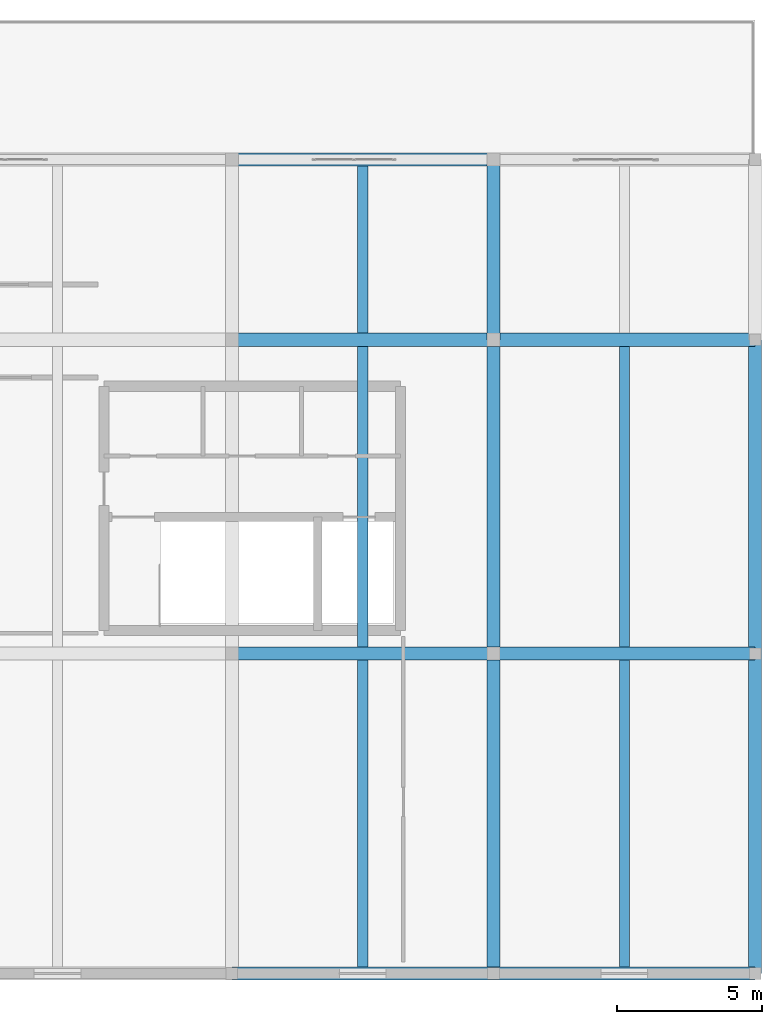
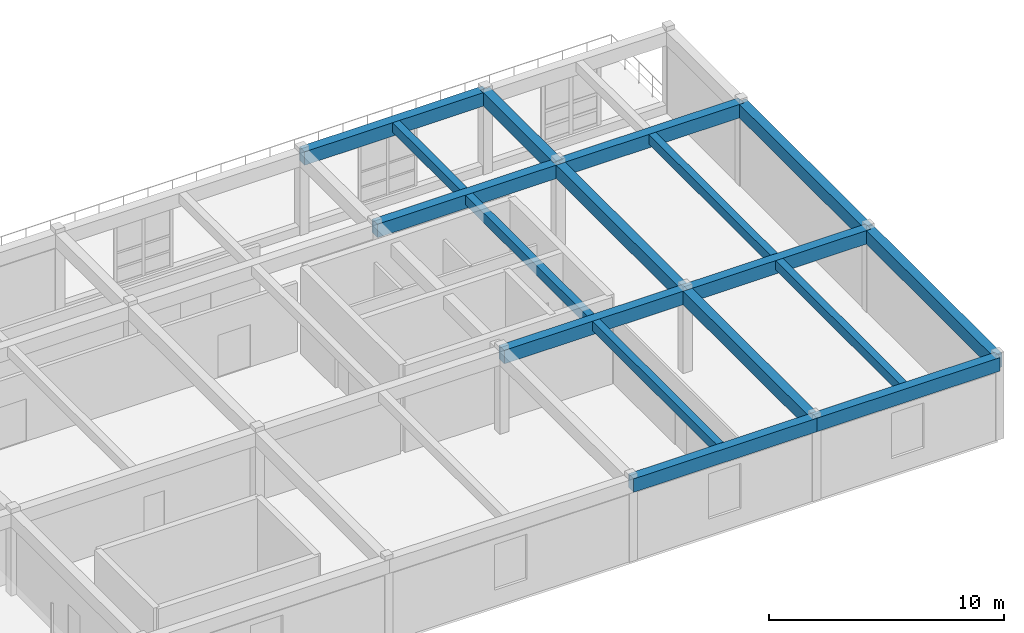
# One storey, part 8 of 15: 17 beams.
"""IFC4 building model written with IfcOpenShell, lengths in metres."""

from ifc_helpers import new_model, si_unit, derived_unit, direction, frame, origin, origin_2d, place, context, subcontext, project, spatial, rectangle, extrude, material, material_profile, profile_set, type_object, element, save


model = new_model("IFC4")

# Units and contexts
model_context = context("Model", 3, precision=1e-05, world=origin(), true_north=direction((0.0, 1.0)))
body_context = subcontext(model_context, "Body", "Model", "MODEL_VIEW")
ifc_project = project(units=[si_unit("LENGTHUNIT", "METRE"), si_unit("AREAUNIT", "SQUARE_METRE"), si_unit("VOLUMEUNIT", "CUBIC_METRE"), si_unit("PLANEANGLEUNIT", "RADIAN"), si_unit("MASSUNIT", "GRAM", prefix="KILO"), derived_unit("THERMALTRANSMITTANCEUNIT", [(si_unit("POWERUNIT", "WATT"), 1), (si_unit("LENGTHUNIT", "METRE"), -2), (si_unit("THERMODYNAMICTEMPERATUREUNIT", "KELVIN"), -1)])], contexts=[model_context])

# Site, building, storey
site_placement = place(None, origin())
site = spatial("IfcSite", under=ifc_project, at=site_placement, CompositionType="ELEMENT")
building_placement = place(site_placement, origin())
building = spatial("IfcBuilding", under=site, at=building_placement, Name="Almenara Railside Exhibition Hall", CompositionType="ELEMENT")
storey_placement = place(building_placement, frame((0.0, 0.0, 16.199951171875)))
storey = spatial("IfcBuildingStorey", under=building, at=storey_placement, Name="L03", CompositionType="ELEMENT", Elevation=16.199951171875)

# Beams
ifc_material = material(Name="Concrete C35/45", Category="concrete")
ifc_material_profile_1 = material_profile(ifc_material, rectangle(XDim=0.449951171875, YDim=0.699951171875, at=origin_2d()), Name="RC 450x700")
ifc_profile_set_1 = profile_set([ifc_material_profile_1], Name="Concrete C35/45")
beam_type_1 = type_object("IfcBeamType", Name="RC Floor Beam 450x700 C35/45", PredefinedType="BEAM", material=ifc_profile_set_1)
for number, where, z_axis, x_axis, name in (
    (1, (186.0, 0.0, 3.929931640625), (1.0, 0.0, 0.0), (0.0, 1.0, 0.0), "Beam 0345"),
    (2, (195.0, 0.0, 3.929931640625), (1.0, 0.0, 0.0), (0.0, 1.0, 0.0), "Beam 0346"),
    (3, (186.0, 11.0, 3.929931640625), (1.0, 0.0, 0.0), (0.0, 1.0, 0.0), "Beam 0352"),
    (4, (195.0, 11.0, 3.929931640625), (1.0, 0.0, 0.0), (0.0, 1.0, 0.0), "Beam 0353"),
    (5, (186.0, 21.800048828125, 3.929931640625), (1.0, 0.0, 0.0), (0.0, 1.0, 0.0), "Beam 0359"),
    (6, (195.0, 21.800048828125, 3.929931640625), (1.0, 0.0, 0.0), (0.0, 1.0, 0.0), "Beam 0360"),
    (7, (186.0, 28.0, 3.929931640625), (1.0, 0.0, 0.0), (0.0, 1.0, 0.0), "Beam 0366"),
):
    element("IfcBeam", number, at=place(storey_placement, frame(where, z_axis=z_axis, x_axis=x_axis)), inside=storey, type_object=beam_type_1, Name=name, PredefinedType="BEAM", context=body_context, shape_type="SweptSolid", body=[
        extrude(rectangle(XDim=0.449951171875, YDim=0.699951171875, at=origin_2d()), origin(), (0.0, 0.0, 1.0), 9.0),
    ])
beam_1_placement = place(storey_placement, frame((195.0, 0.0, 3.929931640625), z_axis=(0.0, 1.0, 0.0), x_axis=(-1.0, 0.0, 0.0)))
element("IfcBeam", 8, at=beam_1_placement, inside=storey, type_object=beam_type_1, Name="Beam 0386", PredefinedType="BEAM", context=body_context, shape_type="SweptSolid", body=[
    extrude(rectangle(XDim=0.449951171875, YDim=0.699951171875, at=origin_2d()), origin(), (0.0, 0.0, 1.0), 11.0),
])
beam_2_placement = place(storey_placement, frame((195.0, 11.0, 3.929931640625), z_axis=(0.0, 1.0, 0.0), x_axis=(-1.0, 0.0, 0.0)))
element("IfcBeam", 9, at=beam_2_placement, inside=storey, type_object=beam_type_1, Name="Beam 0387", PredefinedType="BEAM", context=body_context, shape_type="SweptSolid", body=[
    extrude(rectangle(XDim=0.449951171875, YDim=0.699951171875, at=origin_2d()), origin(), (0.0, 0.0, 1.0), 10.800048828125),
])
beam_3_placement = place(storey_placement, frame((195.0, 21.800048828125, 3.929931640625), z_axis=(0.0, 1.0, 0.0), x_axis=(-1.0, 0.0, 0.0)))
element("IfcBeam", 10, at=beam_3_placement, inside=storey, type_object=beam_type_1, Name="Beam 0388", PredefinedType="BEAM", context=body_context, shape_type="SweptSolid", body=[
    extrude(rectangle(XDim=0.449951171875, YDim=0.699951171875, at=origin_2d()), origin(), (0.0, 0.0, 1.0), 6.199951171875),
])
beam_4_placement = place(storey_placement, frame((204.0, 0.0, 3.929931640625), z_axis=(0.0, 1.0, 0.0), x_axis=(-1.0, 0.0, 0.0)))
element("IfcBeam", 11, at=beam_4_placement, inside=storey, type_object=beam_type_1, Name="Beam 0389", PredefinedType="BEAM", context=body_context, shape_type="SweptSolid", body=[
    extrude(rectangle(XDim=0.449951171875, YDim=0.699951171875, at=origin_2d()), origin(), (0.0, 0.0, 1.0), 11.0),
])
beam_5_placement = place(storey_placement, frame((204.0, 11.0, 3.929931640625), z_axis=(0.0, 1.0, 0.0), x_axis=(-1.0, 0.0, 0.0)))
element("IfcBeam", 12, at=beam_5_placement, inside=storey, type_object=beam_type_1, Name="Beam 0390", PredefinedType="BEAM", context=body_context, shape_type="SweptSolid", body=[
    extrude(rectangle(XDim=0.449951171875, YDim=0.699951171875, at=origin_2d()), origin(), (0.0, 0.0, 1.0), 10.800048828125),
])
ifc_material_profile_2 = material_profile(ifc_material, rectangle(XDim=0.35009765625, YDim=0.5, at=origin_2d()), Name="RC 350x500")
ifc_profile_set_2 = profile_set([ifc_material_profile_2], Name="Concrete C35/45")
beam_type_2 = type_object("IfcBeamType", Name="RC Spandrel Tie Beam 350x500 C35/45", PredefinedType="SPANDREL", material=ifc_profile_set_2)
beam_6_placement = place(storey_placement, frame((190.5, 0.22509765625, 4.030029296875), z_axis=(0.0, 1.0, 0.0), x_axis=(-1.0, 0.0, 0.0)))
element("IfcBeam", 13, at=beam_6_placement, inside=storey, type_object=beam_type_2, Name="Beam 0407", PredefinedType="SPANDREL", context=body_context, shape_type="SweptSolid", body=[
    extrude(rectangle(XDim=0.35009765625, YDim=0.5, at=origin_2d()), origin(), (0.0, 0.0, 1.0), 10.5498046875),
])
beam_7_placement = place(storey_placement, frame((190.5, 11.22509765625, 4.030029296875), z_axis=(0.0, 1.0, 0.0), x_axis=(-1.0, 0.0, 0.0)))
element("IfcBeam", 14, at=beam_7_placement, inside=storey, type_object=beam_type_2, Name="Beam 0408", PredefinedType="SPANDREL", context=body_context, shape_type="SweptSolid", body=[
    extrude(rectangle(XDim=0.35009765625, YDim=0.5, at=origin_2d()), origin(), (0.0, 0.0, 1.0), 10.349853515625),
])
beam_8_placement = place(storey_placement, frame((190.5, 22.02490234375, 4.030029296875), z_axis=(0.0, 1.0, 0.0), x_axis=(-1.0, 0.0, 0.0)))
element("IfcBeam", 15, at=beam_8_placement, inside=storey, type_object=beam_type_2, Name="Beam 0409", PredefinedType="SPANDREL", context=body_context, shape_type="SweptSolid", body=[
    extrude(rectangle(XDim=0.35009765625, YDim=0.5, at=origin_2d()), origin(), (0.0, 0.0, 1.0), 5.75),
])
beam_9_placement = place(storey_placement, frame((199.5, 0.22509765625, 4.030029296875), z_axis=(0.0, 1.0, 0.0), x_axis=(-1.0, 0.0, 0.0)))
element("IfcBeam", 16, at=beam_9_placement, inside=storey, type_object=beam_type_2, Name="Beam 0410", PredefinedType="SPANDREL", context=body_context, shape_type="SweptSolid", body=[
    extrude(rectangle(XDim=0.35009765625, YDim=0.5, at=origin_2d()), origin(), (0.0, 0.0, 1.0), 10.5498046875),
])
beam_10_placement = place(storey_placement, frame((199.5, 11.22509765625, 4.030029296875), z_axis=(0.0, 1.0, 0.0), x_axis=(-1.0, 0.0, 0.0)))
element("IfcBeam", 17, at=beam_10_placement, inside=storey, type_object=beam_type_2, Name="Beam 0411", PredefinedType="SPANDREL", context=body_context, shape_type="SweptSolid", body=[
    extrude(rectangle(XDim=0.35009765625, YDim=0.5, at=origin_2d()), origin(), (0.0, 0.0, 1.0), 10.349853515625),
])

save(model, "model.ifc")
